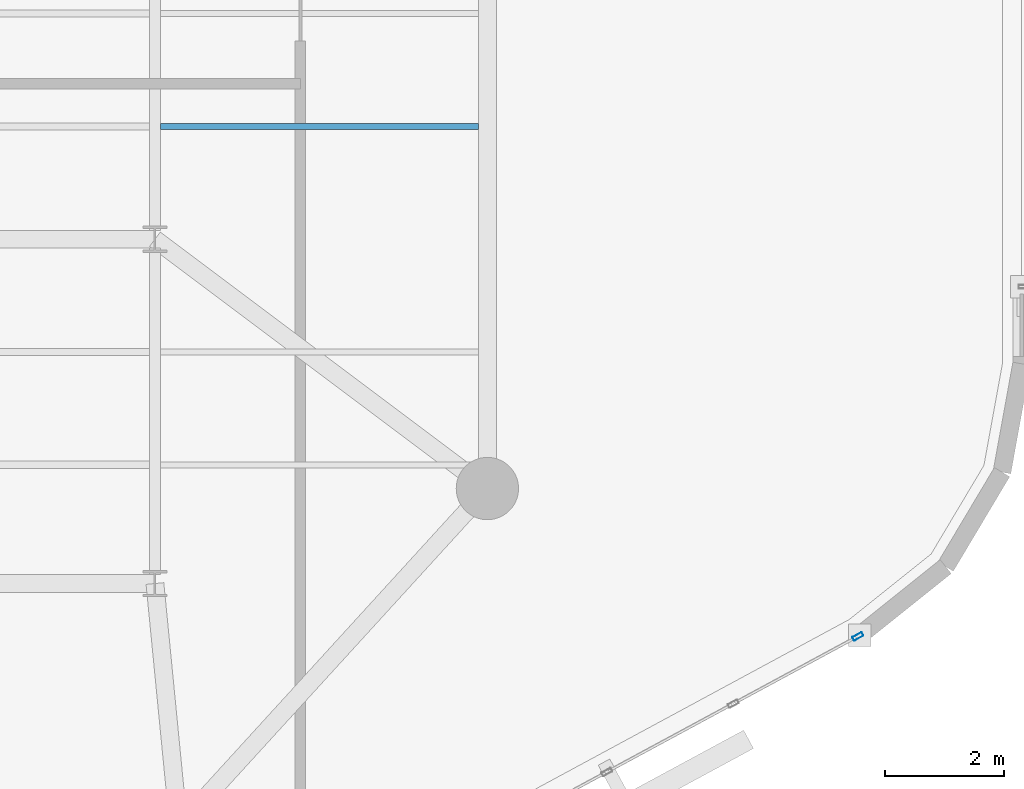
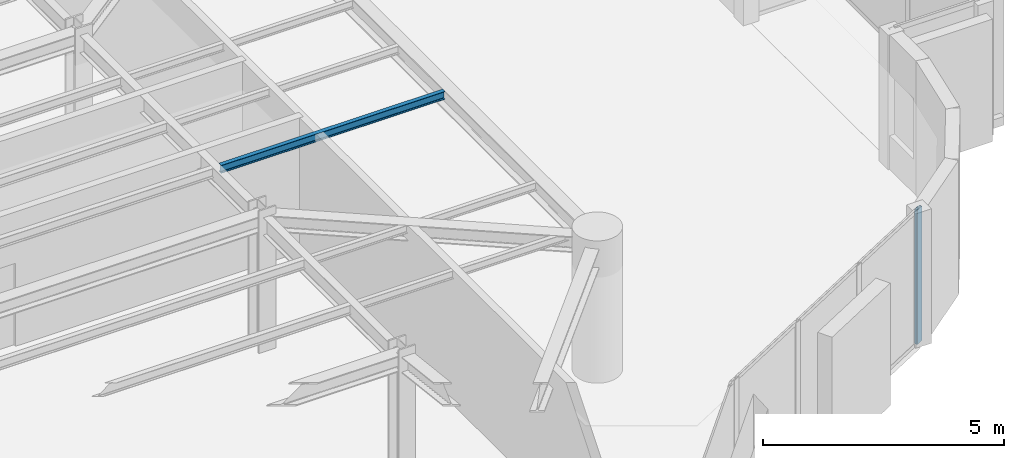
# One storey, part 3 of 14: 1 beam, 1 member, 1 element without a shape of its own.
"""IFC4 building model written with IfcOpenShell, lengths in metres."""

from ifc_helpers import new_model, si_unit, direction, frame, origin, origin_2d, place, context, subcontext, project, spatial, hollow_rectangle, i_section, extrude, material, layer, layer_set, material_profile, profile_set, type_object, element, aggregate, save


model = new_model("IFC4")

# Units and contexts
model_context = context("Model", 3, precision=1e-05, world=origin(), true_north=direction((0.0, 1.0)))
body_context = subcontext(model_context, "Body", "Model", "MODEL_VIEW")
ifc_project = project(units=[si_unit("LENGTHUNIT", "METRE"), si_unit("AREAUNIT", "SQUARE_METRE"), si_unit("VOLUMEUNIT", "CUBIC_METRE"), si_unit("PLANEANGLEUNIT", "RADIAN"), si_unit("MASSUNIT", "GRAM", prefix="KILO")], contexts=[model_context])

# Site, building, storey
site_placement = place(None, origin())
site = spatial("IfcSite", under=ifc_project, at=site_placement, CompositionType="ELEMENT")
building_placement = place(site_placement, origin())
building = spatial("IfcBuilding", under=site, at=building_placement, Name="An Khanh Terracotta Commons", CompositionType="ELEMENT")
storey_placement = place(building_placement, frame((0.0, 0.0, 240.89990234375)))
storey = spatial("IfcBuildingStorey", under=building, at=storey_placement, Name="L63", CompositionType="ELEMENT", Elevation=240.89990234375)

# Beam
ifc_material_1 = material(Name="Steel S355J2", Category="steel")
ifc_material_profile_1 = material_profile(ifc_material_1, i_section(OverallWidth=0.10009765625, OverallDepth=0.199951171875, WebThickness=0.005615234375, FlangeThickness=0.008544921875, FilletRadius=0.011962890625, at=origin_2d()), Name="IPE200")
ifc_profile_set_1 = profile_set([ifc_material_profile_1], Name="Steel S355J2")
beam_type = type_object("IfcBeamType", Name="BM-IPE200", PredefinedType="JOIST", material=ifc_profile_set_1)
beam_placement = place(storey_placement, frame((54.094970703125, 22.10009765625, 3.300048828125), z_axis=(1.0, 0.0, 0.0), x_axis=(0.0, 1.0, 0.0)))
element("IfcBeam", 1, at=beam_placement, inside=storey, type_object=beam_type, Name="L63 Riverfront Composite Joist 3", PredefinedType="JOIST", context=body_context, shape_type="SweptSolid", body=[
    extrude(i_section(OverallWidth=0.10009765625, OverallDepth=0.199951171875, WebThickness=0.005615234375, FlangeThickness=0.008544921875, FilletRadius=0.011962890625, at=origin_2d()), origin(), (0.0, 0.0, 1.0), 5.35498046875),
])

# Curtain wall, member
ifc_material_2 = material(Name="Anodised Aluminium 6063-T6", Category="aluminium")
ifc_layer = layer(ifc_material_2, 0.2099609375, Name="Anodised Aluminium 6063-T6")
ifc_layer_set = layer_set([ifc_layer], Name="Anodised Aluminium 6063-T6")
curtain_wall_type = type_object("IfcCurtainWallType", Name="CW-SYS-03", PredefinedType="USERDEFINED", material=ifc_layer_set)
curtain_wall_placement = place(storey_placement, origin())
curtain_wall = element("IfcCurtainWall", 2, at=curtain_wall_placement, inside=storey, type_object=curtain_wall_type, Name="L63 CW-03 Unitised Curtain Wall CW-L63-08", ObjectType="UNITISED CURTAIN WALL", PredefinedType="USERDEFINED")
ifc_material_profile_2 = material_profile(ifc_material_2, hollow_rectangle(XDim=0.070068359375, YDim=0.179931640625, WallThickness=0.00390625, InnerFilletRadius=0.00390625, OuterFilletRadius=0.008056640625, at=origin_2d()), Name="RHS180x70x4")
ifc_profile_set_2 = profile_set([ifc_material_profile_2], Name="Anodised Aluminium 6063-T6")
member_type = type_object("IfcMemberType", Name="CWM-RHS180x70x4", PredefinedType="MULLION", material=ifc_profile_set_2)
member_placement = place(storey_placement, frame((65.84130859375, 13.50927734375, 0.0), z_axis=(0.0, 0.0, 1.0), x_axis=(-0.47538088298, 0.879780095306, 0.0)))
member = element("IfcMember", 3, at=member_placement, type_object=member_type, Name="CW-03 mullion 5", PredefinedType="MULLION", context=body_context, shape_type="SweptSolid", body=[
    extrude(hollow_rectangle(XDim=0.070068359375, YDim=0.179931640625, WallThickness=0.00390625, InnerFilletRadius=0.00390625, OuterFilletRadius=0.008056640625, at=origin_2d()), origin(), (0.0, 0.0, 1.0), 3.400146484375),
])
aggregate(curtain_wall, [member])

save(model, "model.ifc")
